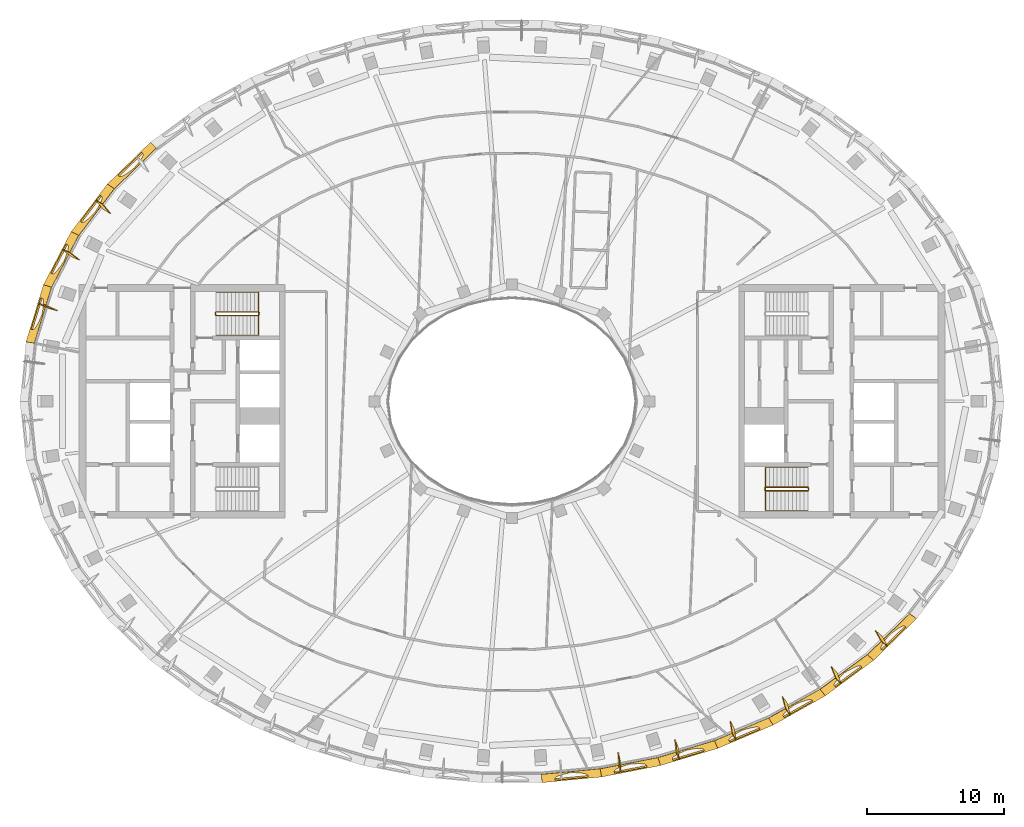
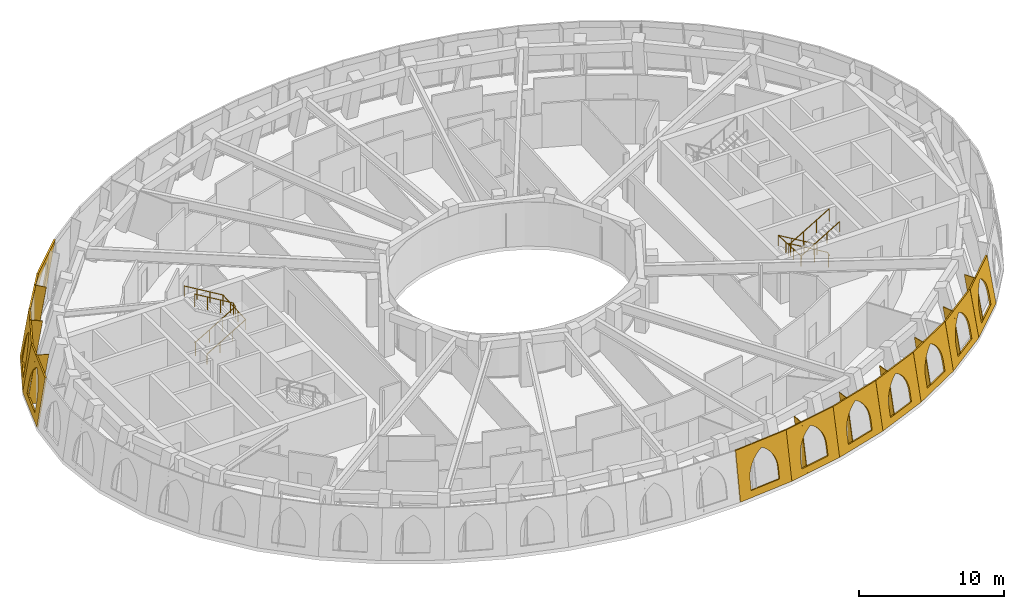
# One storey, part 12 of 14: 20 coverings, 4 railings.
"""IFC4 building model written with IfcOpenShell, lengths in metres."""

from ifc_helpers import new_model, si_unit, direction, frame, origin, origin_2d, place, context, subcontext, project, spatial, polyline, rectangle, outline, extrude, material, layer, layer_set, type_object, element, save


model = new_model("IFC4")

# Units and contexts
model_context = context("Model", 3, precision=1e-05, world=origin(), true_north=direction((0.0, 1.0)))
body_context = subcontext(model_context, "Body", "Model", "MODEL_VIEW")
ifc_project = project(units=[si_unit("LENGTHUNIT", "METRE"), si_unit("AREAUNIT", "SQUARE_METRE"), si_unit("VOLUMEUNIT", "CUBIC_METRE"), si_unit("PLANEANGLEUNIT", "RADIAN"), si_unit("MASSUNIT", "GRAM", prefix="KILO")], contexts=[model_context])

# Site, building, storey
site_placement = place(None, origin())
site = spatial("IfcSite", under=ifc_project, at=site_placement, CompositionType="ELEMENT")
building_placement = place(site_placement, origin())
building = spatial("IfcBuilding", under=site, at=building_placement, Name="Noorbagh Ring Tower", CompositionType="ELEMENT")
storey_placement = place(building_placement, frame((0.0, 0.0, 335.0)))
storey = spatial("IfcBuildingStorey", under=building, at=storey_placement, Name="L73", CompositionType="ELEMENT", Elevation=335.0)

# Railings
ifc_material_1 = material(Name="Stainless steel", Category="steel")
railing_type_1 = type_object("IfcRailingType", Name="CORE-STAIR-GUARD", PredefinedType="GUARDRAIL", material=ifc_material_1)
railing_1_placement = place(storey_placement, frame((-21.580078125, 6.300048828125, 0.0)))
element("IfcRailing", 1, at=railing_1_placement, inside=storey, type_object=railing_type_1, Name="L73 ST1 stair guard", PredefinedType="GUARDRAIL", context=body_context, shape_type="SweptSolid", body=[
    extrude(rectangle(XDim=0.048095703125, YDim=0.048095703125, at=origin_2d()), frame((0.0, 0.0, 1.076171875), z_axis=(0.0, 1.0, 0.0), x_axis=(-1.0, 0.0, 0.0)), (0.0, 0.0, 1.0), 0.14990234375),
    extrude(rectangle(XDim=0.048095703125, YDim=0.048095703125, at=origin_2d()), frame((0.0, 0.14990234375, 1.076171875), z_axis=(0.188775798145, -0.754182335027, 0.628945707965), x_axis=(0.970072785993, 0.242814311512, 0.0)), (0.0, 0.0, 1.0), 0.26513671875),
    extrude(rectangle(XDim=0.048095703125, YDim=0.048095703125, at=origin_2d()), frame((0.050048828125, -0.050048828125, 1.24267578125), z_axis=(0.859308565015, 0.0, 0.511457515432), x_axis=(0.0, 1.0, 0.0)), (0.0, 0.0, 1.0), 3.58447265625),
    extrude(rectangle(XDim=0.048095703125, YDim=0.048095703125, at=origin_2d()), frame((3.130126953125, -0.050048828125, 3.076171875), z_axis=(0.707106781187, 0.707106781187, 0.0), x_axis=(-0.707106781187, 0.707106781187, 0.0)), (0.0, 0.0, 1.0), 0.07080078125),
    extrude(rectangle(XDim=0.048095703125, YDim=0.048095703125, at=origin_2d()), frame((3.18017578125, 0.0, 3.076171875), z_axis=(0.0, 1.0, 0.0), x_axis=(-1.0, 0.0, 0.0)), (0.0, 0.0, 1.0), 0.14990234375),
    extrude(rectangle(XDim=0.048095703125, YDim=0.048095703125, at=origin_2d()), frame((3.18017578125, 0.14990234375, 3.076171875), z_axis=(-0.27628659633, 0.27628659633, 0.920506074601), x_axis=(-0.707106781187, -0.707106781187, 0.0)), (0.0, 0.0, 1.0), 0.18115234375),
    extrude(rectangle(XDim=0.048095703125, YDim=0.048095703125, at=origin_2d()), frame((3.130126953125, 0.199951171875, 3.24267578125), z_axis=(-0.859308565015, 0.0, 0.511457515432), x_axis=(0.0, -1.0, 0.0)), (0.0, 0.0, 1.0), 3.58447265625),
    extrude(rectangle(XDim=0.0419921875, YDim=0.0419921875, at=origin_2d()), origin(), (0.0, 0.0, 1.0), 1.052001953125),
    extrude(rectangle(XDim=0.0419921875, YDim=0.0419921875, at=origin_2d()), frame((1.07666015625, -0.050048828125, 0.77783203125)), (0.0, 0.0, 1.0), 1.052001953125),
    extrude(rectangle(XDim=0.0419921875, YDim=0.0419921875, at=origin_2d()), frame((2.103515625, -0.050048828125, 1.388916015625)), (0.0, 0.0, 1.0), 1.052001953125),
    extrude(rectangle(XDim=0.0419921875, YDim=0.0419921875, at=origin_2d()), frame((3.130126953125, -0.050048828125, 2.0)), (0.0, 0.0, 1.0), 1.052001953125),
    extrude(rectangle(XDim=0.0419921875, YDim=0.0419921875, at=origin_2d()), frame((3.130126953125, 0.199951171875, 2.166748046875)), (0.0, 0.0, 1.0), 1.052001953125),
    extrude(rectangle(XDim=0.0419921875, YDim=0.0419921875, at=origin_2d()), frame((2.103515625, 0.199951171875, 2.77783203125)), (0.0, 0.0, 1.0), 1.052001953125),
    extrude(rectangle(XDim=0.0419921875, YDim=0.0419921875, at=origin_2d()), frame((1.07666015625, 0.199951171875, 3.388916015625)), (0.0, 0.0, 1.0), 1.052001953125),
    extrude(rectangle(XDim=0.0419921875, YDim=0.0419921875, at=origin_2d()), frame((0.050048828125, 0.199951171875, 4.0)), (0.0, 0.0, 1.0), 1.052001953125),
])
railing_2_placement = place(storey_placement, frame((21.580078125, -6.300048828125, 0.0)))
element("IfcRailing", 2, at=railing_2_placement, inside=storey, type_object=railing_type_1, Name="L73 ST4 stair guard", PredefinedType="GUARDRAIL", context=body_context, shape_type="SweptSolid", body=[
    extrude(rectangle(XDim=0.048095703125, YDim=0.048095703125, at=origin_2d()), frame((0.0, 0.0, 1.076171875), z_axis=(0.0, -1.0, 0.0), x_axis=(1.0, 0.0, 0.0)), (0.0, 0.0, 1.0), 0.14990234375),
    extrude(rectangle(XDim=0.048095703125, YDim=0.048095703125, at=origin_2d()), frame((0.0, -0.14990234375, 1.076171875), z_axis=(-0.188775798145, 0.754182335027, 0.628945707965), x_axis=(-0.970072785993, -0.242814311512, 0.0)), (0.0, 0.0, 1.0), 0.26513671875),
    extrude(rectangle(XDim=0.048095703125, YDim=0.048095703125, at=origin_2d()), frame((-0.050048828125, 0.050048828125, 1.24267578125), z_axis=(-0.859308565015, 0.0, 0.511457515432), x_axis=(0.0, -1.0, 0.0)), (0.0, 0.0, 1.0), 3.58447265625),
    extrude(rectangle(XDim=0.048095703125, YDim=0.048095703125, at=origin_2d()), frame((-3.130126953125, 0.050048828125, 3.076171875), z_axis=(-0.707106781187, -0.707106781187, 0.0), x_axis=(0.707106781187, -0.707106781187, 0.0)), (0.0, 0.0, 1.0), 0.07080078125),
    extrude(rectangle(XDim=0.048095703125, YDim=0.048095703125, at=origin_2d()), frame((-3.18017578125, 0.0, 3.076171875), z_axis=(0.0, -1.0, 0.0), x_axis=(1.0, 0.0, 0.0)), (0.0, 0.0, 1.0), 0.14990234375),
    extrude(rectangle(XDim=0.048095703125, YDim=0.048095703125, at=origin_2d()), frame((-3.18017578125, -0.14990234375, 3.076171875), z_axis=(0.27628659633, -0.27628659633, 0.920506074601), x_axis=(0.707106781187, 0.707106781187, 0.0)), (0.0, 0.0, 1.0), 0.18115234375),
    extrude(rectangle(XDim=0.048095703125, YDim=0.048095703125, at=origin_2d()), frame((-3.130126953125, -0.199951171875, 3.24267578125), z_axis=(0.859308565015, 0.0, 0.511457515432), x_axis=(0.0, 1.0, 0.0)), (0.0, 0.0, 1.0), 3.58447265625),
    extrude(rectangle(XDim=0.0419921875, YDim=0.0419921875, at=origin_2d()), origin(), (0.0, 0.0, 1.0), 1.052001953125),
    extrude(rectangle(XDim=0.0419921875, YDim=0.0419921875, at=origin_2d()), frame((-1.07666015625, 0.050048828125, 0.77783203125)), (0.0, 0.0, 1.0), 1.052001953125),
    extrude(rectangle(XDim=0.0419921875, YDim=0.0419921875, at=origin_2d()), frame((-2.103515625, 0.050048828125, 1.388916015625)), (0.0, 0.0, 1.0), 1.052001953125),
    extrude(rectangle(XDim=0.0419921875, YDim=0.0419921875, at=origin_2d()), frame((-3.130126953125, 0.050048828125, 2.0)), (0.0, 0.0, 1.0), 1.052001953125),
    extrude(rectangle(XDim=0.0419921875, YDim=0.0419921875, at=origin_2d()), frame((-3.130126953125, -0.199951171875, 2.166748046875)), (0.0, 0.0, 1.0), 1.052001953125),
    extrude(rectangle(XDim=0.0419921875, YDim=0.0419921875, at=origin_2d()), frame((-2.103515625, -0.199951171875, 2.77783203125)), (0.0, 0.0, 1.0), 1.052001953125),
    extrude(rectangle(XDim=0.0419921875, YDim=0.0419921875, at=origin_2d()), frame((-1.07666015625, -0.199951171875, 3.388916015625)), (0.0, 0.0, 1.0), 1.052001953125),
    extrude(rectangle(XDim=0.0419921875, YDim=0.0419921875, at=origin_2d()), frame((-0.050048828125, -0.199951171875, 4.0)), (0.0, 0.0, 1.0), 1.052001953125),
])
ifc_material_2 = material(Name="Stainless steel", Category="steel")
railing_type_2 = type_object("IfcRailingType", Name="CORE-STAIR-HANDRAIL", PredefinedType="HANDRAIL", material=ifc_material_2)
railing_3_placement = place(storey_placement, frame((-21.530029296875, 4.800048828125, 0.166748046875)))
element("IfcRailing", 3, at=railing_3_placement, inside=storey, type_object=railing_type_2, Name="L73 ST1 stair handrail", PredefinedType="HANDRAIL", context=body_context, shape_type="SweptSolid", body=[
    extrude(rectangle(XDim=0.048095703125, YDim=0.048095703125, at=origin_2d()), frame((0.0, 0.0, 0.8759765625), z_axis=(0.859308565015, 0.0, 0.511457515432), x_axis=(0.0, 1.0, 0.0)), (0.0, 0.0, 1.0), 3.58447265625),
    extrude(rectangle(XDim=0.048095703125, YDim=0.048095703125, at=origin_2d()), frame((3.080078125, 0.0, 2.708984375), z_axis=(0.0, 0.998601747152, 0.052863509014), x_axis=(-1.0, 0.0, 0.0)), (0.0, 0.0, 1.0), 3.154296875),
    extrude(rectangle(XDim=0.048095703125, YDim=0.048095703125, at=origin_2d()), frame((3.080078125, 3.14990234375, 2.8759765625), z_axis=(-0.859308565015, 0.0, 0.511457515432), x_axis=(0.0, -1.0, 0.0)), (0.0, 0.0, 1.0), 3.58447265625),
    extrude(rectangle(XDim=0.0419921875, YDim=0.0419921875, at=origin_2d()), origin(), (0.0, 0.0, 1.0), 0.851806640625),
    extrude(rectangle(XDim=0.0419921875, YDim=0.0419921875, at=origin_2d()), frame((1.026611328125, 0.0, 0.611083984375)), (0.0, 0.0, 1.0), 0.851806640625),
    extrude(rectangle(XDim=0.0419921875, YDim=0.0419921875, at=origin_2d()), frame((2.053466796875, 0.0, 1.22216796875)), (0.0, 0.0, 1.0), 0.851806640625),
    extrude(rectangle(XDim=0.0419921875, YDim=0.0419921875, at=origin_2d()), frame((3.080078125, 0.0, 1.833251953125)), (0.0, 0.0, 1.0), 0.851806640625),
    extrude(rectangle(XDim=0.0419921875, YDim=0.0419921875, at=origin_2d()), frame((3.080078125, 1.050048828125, 1.888916015625)), (0.0, 0.0, 1.0), 0.851806640625),
    extrude(rectangle(XDim=0.0419921875, YDim=0.0419921875, at=origin_2d()), frame((3.080078125, 2.099853515625, 1.9443359375)), (0.0, 0.0, 1.0), 0.851806640625),
    extrude(rectangle(XDim=0.0419921875, YDim=0.0419921875, at=origin_2d()), frame((3.080078125, 3.14990234375, 2.0)), (0.0, 0.0, 1.0), 0.851806640625),
    extrude(rectangle(XDim=0.0419921875, YDim=0.0419921875, at=origin_2d()), frame((2.053466796875, 3.14990234375, 2.611083984375)), (0.0, 0.0, 1.0), 0.851806640625),
    extrude(rectangle(XDim=0.0419921875, YDim=0.0419921875, at=origin_2d()), frame((1.026611328125, 3.14990234375, 3.22216796875)), (0.0, 0.0, 1.0), 0.851806640625),
    extrude(rectangle(XDim=0.0419921875, YDim=0.0419921875, at=origin_2d()), frame((0.0, 3.14990234375, 3.833251953125)), (0.0, 0.0, 1.0), 0.851806640625),
])
railing_4_placement = place(storey_placement, frame((21.530029296875, -4.800048828125, 0.166748046875)))
element("IfcRailing", 4, at=railing_4_placement, inside=storey, type_object=railing_type_2, Name="L73 ST4 stair handrail", PredefinedType="HANDRAIL", context=body_context, shape_type="SweptSolid", body=[
    extrude(rectangle(XDim=0.048095703125, YDim=0.048095703125, at=origin_2d()), frame((0.0, 0.0, 0.8759765625), z_axis=(-0.859308565015, 0.0, 0.511457515432), x_axis=(0.0, -1.0, 0.0)), (0.0, 0.0, 1.0), 3.58447265625),
    extrude(rectangle(XDim=0.048095703125, YDim=0.048095703125, at=origin_2d()), frame((-3.080078125, 0.0, 2.708984375), z_axis=(0.0, -0.998601747152, 0.052863509014), x_axis=(1.0, 0.0, 0.0)), (0.0, 0.0, 1.0), 3.154296875),
    extrude(rectangle(XDim=0.048095703125, YDim=0.048095703125, at=origin_2d()), frame((-3.080078125, -3.14990234375, 2.8759765625), z_axis=(0.859308565015, 0.0, 0.511457515432), x_axis=(0.0, 1.0, 0.0)), (0.0, 0.0, 1.0), 3.58447265625),
    extrude(rectangle(XDim=0.0419921875, YDim=0.0419921875, at=origin_2d()), origin(), (0.0, 0.0, 1.0), 0.851806640625),
    extrude(rectangle(XDim=0.0419921875, YDim=0.0419921875, at=origin_2d()), frame((-1.026611328125, 0.0, 0.611083984375)), (0.0, 0.0, 1.0), 0.851806640625),
    extrude(rectangle(XDim=0.0419921875, YDim=0.0419921875, at=origin_2d()), frame((-2.053466796875, 0.0, 1.22216796875)), (0.0, 0.0, 1.0), 0.851806640625),
    extrude(rectangle(XDim=0.0419921875, YDim=0.0419921875, at=origin_2d()), frame((-3.080078125, 0.0, 1.833251953125)), (0.0, 0.0, 1.0), 0.851806640625),
    extrude(rectangle(XDim=0.0419921875, YDim=0.0419921875, at=origin_2d()), frame((-3.080078125, -1.050048828125, 1.888916015625)), (0.0, 0.0, 1.0), 0.851806640625),
    extrude(rectangle(XDim=0.0419921875, YDim=0.0419921875, at=origin_2d()), frame((-3.080078125, -2.099853515625, 1.9443359375)), (0.0, 0.0, 1.0), 0.851806640625),
    extrude(rectangle(XDim=0.0419921875, YDim=0.0419921875, at=origin_2d()), frame((-3.080078125, -3.14990234375, 2.0)), (0.0, 0.0, 1.0), 0.851806640625),
    extrude(rectangle(XDim=0.0419921875, YDim=0.0419921875, at=origin_2d()), frame((-2.053466796875, -3.14990234375, 2.611083984375)), (0.0, 0.0, 1.0), 0.851806640625),
    extrude(rectangle(XDim=0.0419921875, YDim=0.0419921875, at=origin_2d()), frame((-1.026611328125, -3.14990234375, 3.22216796875)), (0.0, 0.0, 1.0), 0.851806640625),
    extrude(rectangle(XDim=0.0419921875, YDim=0.0419921875, at=origin_2d()), frame((0.0, -3.14990234375, 3.833251953125)), (0.0, 0.0, 1.0), 0.851806640625),
])

# Coverings
ifc_material_3 = material(Name="Aluminium 6063-T6 black anodised", Category="aluminium")
ifc_layer_1 = layer(ifc_material_3, 0.050048828125)
ifc_layer_set_1 = layer_set([ifc_layer_1], Name="Aluminium 6063-T6 black anodised")
covering_type_1 = type_object("IfcCoveringType", Name="STYLE-HEAD-FIN", PredefinedType="CLADDING", material=ifc_layer_set_1)
covering_1_placement = place(storey_placement, frame((-30.3203125, 14.657958984375, 0.0), z_axis=(-0.76489649452, -0.64242635087, 0.047135298644), x_axis=(0.127872347112, -0.079716550512, 0.988581779328)))
element("IfcCovering", 5, at=covering_1_placement, inside=storey, type_object=covering_type_1, Name="Fin rib F20 L73", ObjectType="FIN", PredefinedType="CLADDING", context=body_context, shape_type="SweptSolid", body=[
    extrude(outline(polyline([(0.0, 0.0), (4.04570648820838, 0.0), (4.174667708203385, -0.8907603172236574), (0.1289612199950049, -0.8907603172236573), (0.0, 0.0)])), origin(), (0.0, 0.0, -1.0), 0.050048828125),
])
covering_2_placement = place(storey_placement, frame((-32.7470703125, 11.059814453125, 0.0), z_axis=(-0.610800355231, -0.790909889755, 0.037208498179), x_axis=(0.138028206937, -0.060086755373, 0.988603963131)))
element("IfcCovering", 6, at=covering_2_placement, inside=storey, type_object=covering_type_1, Name="Fin rib F21 L73", ObjectType="FIN", PredefinedType="CLADDING", context=body_context, shape_type="SweptSolid", body=[
    extrude(outline(polyline([(0.0, 0.0), (4.045612070710445, 0.0), (4.1769943382146035, -0.890398508066133), (0.13139693712217027, -0.8905471837190015), (0.0, 0.0)])), origin(), (0.0, 0.0, -1.0), 0.050048828125),
])
covering_3_placement = place(storey_placement, frame((-34.514404296875, 7.100830078125, 0.0), z_axis=(-0.401619776929, -0.91550868799, 0.023353736198), x_axis=(0.145252343972, -0.038500621294, 0.988645264354)))
element("IfcCovering", 7, at=covering_3_placement, inside=storey, type_object=covering_type_1, Name="Fin rib F22 L73", ObjectType="FIN", PredefinedType="CLADDING", context=body_context, shape_type="SweptSolid", body=[
    extrude(outline(polyline([(0.0, 0.0), (4.0456936411734015, 0.0), (4.1793341034261795, -0.890062513517799), (0.13364046225277815, -0.8900625135177989), (0.0, 0.0)])), origin(), (0.0, 0.0, -1.0), 0.050048828125),
])
covering_4_placement = place(storey_placement, frame((7.950439453125, -27.05712890625, 0.0), z_axis=(0.997588792025, 0.065086668502, 0.024089989806), x_axis=(-0.033433447442, 0.146519102618, 0.98864268427)))
element("IfcCovering", 8, at=covering_4_placement, inside=storey, type_object=covering_type_1, Name="Fin rib F37 L73", ObjectType="FIN", PredefinedType="CLADDING", context=body_context, shape_type="SweptSolid", body=[
    extrude(outline(polyline([(0.0, 0.0), (4.045704005720509, 0.0), (4.179229710509466, -0.8898971362411975), (0.13356147605424487, -0.8901381187296139), (0.0, 0.0)])), origin(), (0.0, 0.0, -1.0), 0.050048828125),
])
covering_5_placement = place(storey_placement, frame((12.197021484375, -26.084716796875, 0.0), z_axis=(0.993561817151, 0.107353473286, 0.036195956581), x_axis=(-0.051292861275, 0.141387263492, 0.988624642675)))
element("IfcCovering", 9, at=covering_5_placement, inside=storey, type_object=covering_type_1, Name="Fin rib F38 L73", ObjectType="FIN", PredefinedType="CLADDING", context=body_context, shape_type="SweptSolid", body=[
    extrude(outline(polyline([(0.0, 0.0), (4.045778030124915, 1.1102230246251565e-16), (4.177246851844358, -0.890329102387943), (0.13146882171944244, -0.8903291023879432), (0.0, 0.0)])), origin(), (0.0, 0.0, -1.0), 0.050048828125),
])
covering_6_placement = place(storey_placement, frame((16.321533203125, -24.685546875, 0.0), z_axis=(0.984725874289, 0.168004964793, 0.045708689656), x_axis=(-0.068735391687, 0.133910302154, 0.988606836364)))
element("IfcCovering", 10, at=covering_6_placement, inside=storey, type_object=covering_type_1, Name="Fin rib F39 L73", ObjectType="FIN", PredefinedType="CLADDING", context=body_context, shape_type="SweptSolid", body=[
    extrude(outline(polyline([(0.0, 0.0), (4.045603946517271, 0.0), (4.174814391066827, -0.8907036559767814), (0.12921044454955732, -0.8907036559767814), (0.0, 0.0)])), origin(), (0.0, 0.0, -1.0), 0.050048828125),
])
covering_7_placement = place(storey_placement, frame((20.26953125, -22.849853515625, 0.0), z_axis=(0.966350322354, 0.251950041993, 0.051848151617), x_axis=(-0.085389945981, 0.124071893242, 0.988592293331)))
element("IfcCovering", 11, at=covering_7_placement, inside=storey, type_object=covering_type_1, Name="Fin rib F40 L73", ObjectType="FIN", PredefinedType="CLADDING", context=body_context, shape_type="SweptSolid", body=[
    extrude(outline(polyline([(0.0, 0.0), (4.0456634607936985, -1.1102230246251565e-16), (4.173099274503681, -0.8908934912765389), (0.12743581370998172, -0.8908934912765388), (0.0, 0.0)])), origin(), (0.0, 0.0, -1.0), 0.050048828125),
])
covering_8_placement = place(storey_placement, frame((23.97509765625, -20.568603515625, 0.0), z_axis=(0.930956192269, 0.361060402762, 0.054368682465), x_axis=(-0.10107883619, 0.111760002761, 0.988581190726)))
element("IfcCovering", 12, at=covering_8_placement, inside=storey, type_object=covering_type_1, Name="Fin rib F41 L73", ObjectType="FIN", PredefinedType="CLADDING", context=body_context, shape_type="SweptSolid", body=[
    extrude(outline(polyline([(0.0, 0.0), (4.045708897022897, -1.1102230246251565e-16), (4.172383022542843, -0.8910512468773933), (0.12667412551994617, -0.8910512468773933), (0.0, 0.0)])), origin(), (0.0, 0.0, -1.0), 0.050048828125),
])
covering_9_placement = place(storey_placement, frame((27.35791015625, -17.836181640625, 0.0), z_axis=(0.868059671999, 0.493634432703, 0.052890951014), x_axis=(-0.11538017753, 0.096974866784, 0.988576395553)))
element("IfcCovering", 13, at=covering_9_placement, inside=storey, type_object=covering_type_1, Name="Fin rib F42 L73", ObjectType="FIN", PredefinedType="CLADDING", context=body_context, shape_type="SweptSolid", body=[
    extrude(outline(polyline([(0.0, 0.0), (4.045728521073047, 1.1102230246251565e-16), (4.172908735095398, -0.8908266800160081), (0.1271802140223514, -0.8908266800160081), (0.0, 0.0)])), origin(), (0.0, 0.0, -1.0), 0.050048828125),
])
ifc_material_4 = material(Name="Red sandstone jali", Category="masonry")
ifc_layer_2 = layer(ifc_material_4, 0.1201171875)
ifc_layer_set_2 = layer_set([ifc_layer_2], Name="Red sandstone jali")
covering_type_2 = type_object("IfcCoveringType", Name="STYLE-HEAD-SKIN", PredefinedType="CLADDING", material=ifc_layer_set_2)
covering_10_placement = place(storey_placement, frame((-26.315673828125, 18.847412109375, 0.0), z_axis=(-0.688382008577, 0.709670155055, 0.149994937554), x_axis=(-0.717790561058, -0.696259082853, 1.220893e-06)))
element("IfcCovering", 14, at=covering_10_placement, inside=storey, type_object=covering_type_2, Name="Head skin panel", ObjectType="HEAD SKIN", PredefinedType="CLADDING", context=body_context, shape_type="SweptSolid", body=[
    extrude(outline(polyline([(0.0, 0.0), (4.3564453125, 0.0), (4.238525390625, 4.045654296875), (-0.03369140625, 4.045654296875), (0.0, 0.0)]), holes=[polyline([(0.9716796875, 0.550048828125), (0.955322265625, 1.423828125), (0.969970703125, 1.736083984375), (1.025146484375, 2.043212890625), (1.1201171875, 2.339599609375), (1.25341796875, 2.6201171875), (1.42236328125, 2.88037109375), (1.624267578125, 3.115478515625), (1.855712890625, 3.322021484375), (2.112548828125, 3.495849609375), (2.376220703125, 3.322021484375), (2.615234375, 3.115478515625), (2.825927734375, 2.88037109375), (3.0048828125, 2.6201171875), (3.1484375, 2.339599609375), (3.254638671875, 2.043212890625), (3.3212890625, 1.736083984375), (3.34765625, 1.423828125), (3.364013671875, 0.550048828125), (0.9716796875, 0.550048828125)])]), origin(), (0.0, 0.0, -1.0), 0.1201171875),
])
covering_11_placement = place(storey_placement, frame((-29.442626953125, 15.814208984375, 0.0), z_axis=(-0.78748386, 0.597786727668, 0.150067313105), x_axis=(-0.604633993778, -0.796503442279, -2.165502e-06)))
element("IfcCovering", 15, at=covering_11_placement, inside=storey, type_object=covering_type_2, Name="Head skin panel", ObjectType="HEAD SKIN", PredefinedType="CLADDING", context=body_context, shape_type="SweptSolid", body=[
    extrude(outline(polyline([(0.0, 0.0), (4.354736328125, 0.0), (4.240478515625, 4.0458984375), (-0.02685546875, 4.0458984375), (0.0, 0.0)]), holes=[polyline([(0.972900390625, 0.550048828125), (0.95751953125, 1.426513671875), (0.97265625, 1.73828125), (1.0283203125, 2.044921875), (1.12353515625, 2.3408203125), (1.2568359375, 2.62109375), (1.426025390625, 2.881103515625), (1.6279296875, 3.1162109375), (1.859375, 3.322265625), (2.1162109375, 3.495849609375), (2.379150390625, 3.322265625), (2.617919921875, 3.1162109375), (2.827880859375, 2.881103515625), (3.006103515625, 2.62109375), (3.1494140625, 2.3408203125), (3.2548828125, 2.044921875), (3.3212890625, 1.73828125), (3.34716796875, 1.426513671875), (3.362548828125, 0.550048828125), (0.972900390625, 0.550048828125)])]), origin(), (0.0, 0.0, -1.0), 0.1201171875),
])
covering_12_placement = place(storey_placement, frame((-32.07568359375, 12.345703125, 0.0), z_axis=(-0.876369881052, 0.45763118357, 0.150165013932), x_axis=(-0.462878647892, -0.886421658835, 8.57244e-06)))
element("IfcCovering", 16, at=covering_12_placement, inside=storey, type_object=covering_type_2, Name="Head skin panel", ObjectType="HEAD SKIN", PredefinedType="CLADDING", context=body_context, shape_type="SweptSolid", body=[
    extrude(outline(polyline([(0.0, 0.0), (4.352294921875, 0.0), (4.2490234375, 4.0458984375), (-0.0126953125, 4.0458984375), (0.0, 0.0)]), holes=[polyline([(0.97509765625, 0.550048828125), (0.96240234375, 1.428955078125), (0.978271484375, 1.740478515625), (1.034912109375, 2.046875), (1.130859375, 2.34228515625), (1.264892578125, 2.622314453125), (1.434814453125, 2.8818359375), (1.63720703125, 3.11669921875), (1.868896484375, 3.322509765625), (2.1259765625, 3.495849609375), (2.38818359375, 3.322509765625), (2.625732421875, 3.11669921875), (2.8349609375, 2.8818359375), (3.01220703125, 2.622314453125), (3.154296875, 2.34228515625), (3.2587890625, 2.046875), (3.32421875, 1.740478515625), (3.34912109375, 1.428955078125), (3.361572265625, 0.550048828125), (0.97509765625, 0.550048828125)])]), origin(), (0.0, 0.0, -1.0), 0.1201171875),
])
covering_13_placement = place(storey_placement, frame((-34.090087890625, 8.487548828125, 0.0), z_axis=(-0.94539258151, 0.289276557835, 0.150173033241), x_axis=(-0.292594665883, -0.956236561473, -3.6865e-08)))
element("IfcCovering", 17, at=covering_13_placement, inside=storey, type_object=covering_type_2, Name="Head skin panel", ObjectType="HEAD SKIN", PredefinedType="CLADDING", context=body_context, shape_type="SweptSolid", body=[
    extrude(outline(polyline([(0.0, 0.0), (4.3505859375, 0.0), (4.26513671875, 4.0458984375), (0.008056640625, 4.0458984375), (0.0, 0.0)]), holes=[polyline([(0.97802734375, 0.550048828125), (0.969482421875, 1.431396484375), (0.987060546875, 1.742431640625), (1.044921875, 2.04833984375), (1.142333984375, 2.343505859375), (1.277587890625, 2.623291015625), (1.448486328125, 2.882568359375), (1.65185546875, 3.1171875), (1.88427734375, 3.32275390625), (2.14208984375, 3.495849609375), (2.40283203125, 3.32275390625), (2.639404296875, 3.1171875), (2.84716796875, 2.882568359375), (3.02294921875, 2.623291015625), (3.16357421875, 2.343505859375), (3.2666015625, 2.04833984375), (3.330322265625, 1.742431640625), (3.353759765625, 1.431396484375), (3.362060546875, 0.550048828125), (0.97802734375, 0.550048828125)])]), origin(), (0.0, 0.0, -1.0), 0.1201171875),
])
covering_14_placement = place(storey_placement, frame((2.180908203125, -27.747802734375, 0.0), z_axis=(0.093791834638, -0.984214286177, 0.150084411714), x_axis=(0.995490008646, 0.09486644657, 5.17829e-07)))
element("IfcCovering", 18, at=covering_14_placement, inside=storey, type_object=covering_type_2, Name="Head skin panel", ObjectType="HEAD SKIN", PredefinedType="CLADDING", context=body_context, shape_type="SweptSolid", body=[
    extrude(outline(polyline([(0.0, 0.0), (4.362060546875, 0.0), (4.308349609375, 4.0458984375), (0.0205078125, 4.0458984375), (0.0, 0.0)]), holes=[polyline([(0.978271484375, 0.550048828125), (0.974609375, 1.41650390625), (0.993896484375, 1.72998046875), (1.053955078125, 2.0380859375), (1.15380859375, 2.33544921875), (1.29150390625, 2.6171875), (1.46484375, 2.878173828125), (1.6708984375, 3.1142578125), (1.90625, 3.3212890625), (2.166748046875, 3.495849609375), (2.4287109375, 3.3212890625), (2.66552734375, 3.1142578125), (2.87353515625, 2.878173828125), (3.049072265625, 2.6171875), (3.189208984375, 2.33544921875), (3.29150390625, 2.0380859375), (3.35400390625, 1.72998046875), (3.375732421875, 1.41650390625), (3.379150390625, 0.550048828125), (0.978271484375, 0.550048828125)])]), origin(), (0.0, 0.0, -1.0), 0.1201171875),
])
covering_15_placement = place(storey_placement, frame((6.523193359375, -27.333984375, 0.0), z_axis=(0.188338868439, -0.970553617532, 0.150180378646), x_axis=(0.981687338346, 0.190499264381, -8.80827e-07)))
element("IfcCovering", 19, at=covering_15_placement, inside=storey, type_object=covering_type_2, Name="Head skin panel", ObjectType="HEAD SKIN", PredefinedType="CLADDING", context=body_context, shape_type="SweptSolid", body=[
    extrude(outline(polyline([(0.0, 0.0), (4.361328125, 0.0), (4.291748046875, 4.0458984375), (0.0048828125, 4.0458984375), (0.0, 0.0)]), holes=[polyline([(0.97607421875, 0.550048828125), (0.96923828125, 1.4169921875), (0.9873046875, 1.730224609375), (1.0458984375, 2.038330078125), (1.14453125, 2.335693359375), (1.28125, 2.6171875), (1.45361328125, 2.87841796875), (1.65869140625, 3.114501953125), (1.893310546875, 3.321533203125), (2.15283203125, 3.49609375), (2.415283203125, 3.321533203125), (2.653076171875, 3.114501953125), (2.862060546875, 2.87841796875), (3.03857421875, 2.6171875), (3.1796875, 2.335693359375), (3.282958984375, 2.038330078125), (3.3466796875, 1.730224609375), (3.369873046875, 1.4169921875), (3.376708984375, 0.550048828125), (0.97607421875, 0.550048828125)])]), origin(), (0.0, 0.0, -1.0), 0.1201171875),
])
covering_16_placement = place(storey_placement, frame((10.8046875, -26.503173828125, 0.0), z_axis=(0.284487919063, -0.946841452141, 0.150192837431), x_axis=(0.957705060419, 0.287751658977, -2.137734e-06)))
element("IfcCovering", 20, at=covering_16_placement, inside=storey, type_object=covering_type_2, Name="Head skin panel", ObjectType="HEAD SKIN", PredefinedType="CLADDING", context=body_context, shape_type="SweptSolid", body=[
    extrude(outline(polyline([(0.0, 0.0), (4.361083984375, 0.0), (4.2763671875, 4.0458984375), (-0.0087890625, 4.0458984375), (0.0, 0.0)]), holes=[polyline([(0.974365234375, 0.550048828125), (0.964111328125, 1.417724609375), (0.981201171875, 1.73095703125), (1.038818359375, 2.038818359375), (1.13623046875, 2.3359375), (1.27197265625, 2.61767578125), (1.443115234375, 2.878662109375), (1.6474609375, 3.114501953125), (1.881103515625, 3.321533203125), (2.14013671875, 3.495849609375), (2.403076171875, 3.321533203125), (2.6416015625, 3.114501953125), (2.851318359375, 2.878662109375), (3.028564453125, 2.61767578125), (3.170654296875, 2.3359375), (3.27490234375, 2.038818359375), (3.33984375, 1.73095703125), (3.364013671875, 1.417724609375), (3.3740234375, 0.550048828125), (0.974365234375, 0.550048828125)])]), origin(), (0.0, 0.0, -1.0), 0.1201171875),
])
covering_17_placement = place(storey_placement, frame((14.9814453125, -25.248291015625, 0.0), z_axis=(0.382724341536, -0.911584872729, 0.150116948434), x_axis=(0.922032938938, 0.387111430343, 3.161082e-06)))
element("IfcCovering", 21, at=covering_17_placement, inside=storey, type_object=covering_type_2, Name="Head skin panel", ObjectType="HEAD SKIN", PredefinedType="CLADDING", context=body_context, shape_type="SweptSolid", body=[
    extrude(outline(polyline([(0.0, 0.0), (4.3603515625, 0.0), (4.26220703125, 4.0458984375), (-0.020751953125, 4.0458984375), (0.0, 0.0)]), holes=[polyline([(0.972900390625, 0.550048828125), (0.960205078125, 1.418701171875), (0.97607421875, 1.731689453125), (1.03271484375, 2.03955078125), (1.129150390625, 2.336669921875), (1.263916015625, 2.617919921875), (1.434326171875, 2.87890625), (1.6376953125, 3.11474609375), (1.87060546875, 3.321533203125), (2.12890625, 3.495849609375), (2.392333984375, 3.321533203125), (2.631103515625, 3.11474609375), (2.841552734375, 2.87890625), (3.019775390625, 2.617919921875), (3.16259765625, 2.336669921875), (3.267822265625, 2.03955078125), (3.33349609375, 1.731689453125), (3.358642578125, 1.418701171875), (3.371337890625, 0.550048828125), (0.972900390625, 0.550048828125)])]), origin(), (0.0, 0.0, -1.0), 0.1201171875),
])
covering_18_placement = place(storey_placement, frame((19.001708984375, -23.560302734375, 0.0), z_axis=(0.483324210098, -0.862496243592, 0.149993125589), x_axis=(0.872365284599, 0.488854590064, -9.6689e-08)))
element("IfcCovering", 22, at=covering_18_placement, inside=storey, type_object=covering_type_2, Name="Head skin panel", ObjectType="HEAD SKIN", PredefinedType="CLADDING", context=body_context, shape_type="SweptSolid", body=[
    extrude(outline(polyline([(0.0, 0.0), (4.359375, 0.0), (4.250732421875, 4.045654296875), (-0.029541015625, 4.045654296875), (0.0, 0.0)]), holes=[polyline([(0.9716796875, 0.550048828125), (0.956787109375, 1.419921875), (0.97216796875, 1.73291015625), (1.028076171875, 2.040283203125), (1.123779296875, 2.33740234375), (1.257568359375, 2.618408203125), (1.42724609375, 2.879150390625), (1.6298828125, 3.114990234375), (1.8623046875, 3.32177734375), (2.119873046875, 3.495849609375), (2.383544921875, 3.32177734375), (2.622802734375, 3.114990234375), (2.83349609375, 2.879150390625), (3.01220703125, 2.618408203125), (3.15576171875, 2.33740234375), (3.26171875, 2.040283203125), (3.327880859375, 1.73291015625), (3.35400390625, 1.419921875), (3.368896484375, 0.550048828125), (0.9716796875, 0.550048828125)])]), origin(), (0.0, 0.0, -1.0), 0.1201171875),
])
covering_19_placement = place(storey_placement, frame((22.8046875, -21.42919921875, 0.0), z_axis=(0.585735649064, -0.796514382131, 0.149928611258), x_axis=(0.805620696232, 0.592431678589, -2.727838e-06)))
element("IfcCovering", 23, at=covering_19_placement, inside=storey, type_object=covering_type_2, Name="Head skin panel", ObjectType="HEAD SKIN", PredefinedType="CLADDING", context=body_context, shape_type="SweptSolid", body=[
    extrude(outline(polyline([(0.0, 0.0), (4.358154296875, 0.0), (4.242431640625, 4.045654296875), (-0.034423828125, 4.045654296875), (0.0, 0.0)]), holes=[polyline([(0.971435546875, 0.550048828125), (0.955078125, 1.421630859375), (0.969970703125, 1.734375), (1.025390625, 2.04150390625), (1.12060546875, 2.338134765625), (1.25390625, 2.619140625), (1.423095703125, 2.879638671875), (1.625244140625, 3.115234375), (1.85693359375, 3.32177734375), (2.1142578125, 3.495849609375), (2.3779296875, 3.32177734375), (2.6171875, 3.115234375), (2.828125, 2.879638671875), (3.007080078125, 2.619140625), (3.15087890625, 2.338134765625), (3.257080078125, 2.04150390625), (3.32373046875, 1.734375), (3.35009765625, 1.421630859375), (3.3662109375, 0.550048828125), (0.971435546875, 0.550048828125)])]), origin(), (0.0, 0.0, -1.0), 0.1201171875),
])
covering_20_placement = place(storey_placement, frame((26.315673828125, -18.847412109375, 0.0), z_axis=(0.688382008577, -0.709670155055, 0.149994937554), x_axis=(0.717790561058, 0.696259082853, 1.220893e-06)))
element("IfcCovering", 24, at=covering_20_placement, inside=storey, type_object=covering_type_2, Name="Head skin panel", ObjectType="HEAD SKIN", PredefinedType="CLADDING", context=body_context, shape_type="SweptSolid", body=[
    extrude(outline(polyline([(0.0, 0.0), (4.3564453125, 0.0), (4.238525390625, 4.045654296875), (-0.03369140625, 4.045654296875), (0.0, 0.0)]), holes=[polyline([(0.9716796875, 0.550048828125), (0.955322265625, 1.423828125), (0.969970703125, 1.736083984375), (1.025146484375, 2.043212890625), (1.1201171875, 2.339599609375), (1.25341796875, 2.6201171875), (1.42236328125, 2.88037109375), (1.624267578125, 3.115478515625), (1.855712890625, 3.322021484375), (2.112548828125, 3.495849609375), (2.376220703125, 3.322021484375), (2.615234375, 3.115478515625), (2.825927734375, 2.88037109375), (3.0048828125, 2.6201171875), (3.1484375, 2.339599609375), (3.254638671875, 2.043212890625), (3.3212890625, 1.736083984375), (3.34765625, 1.423828125), (3.364013671875, 0.550048828125), (0.9716796875, 0.550048828125)])]), origin(), (0.0, 0.0, -1.0), 0.1201171875),
])

save(model, "model.ifc")
